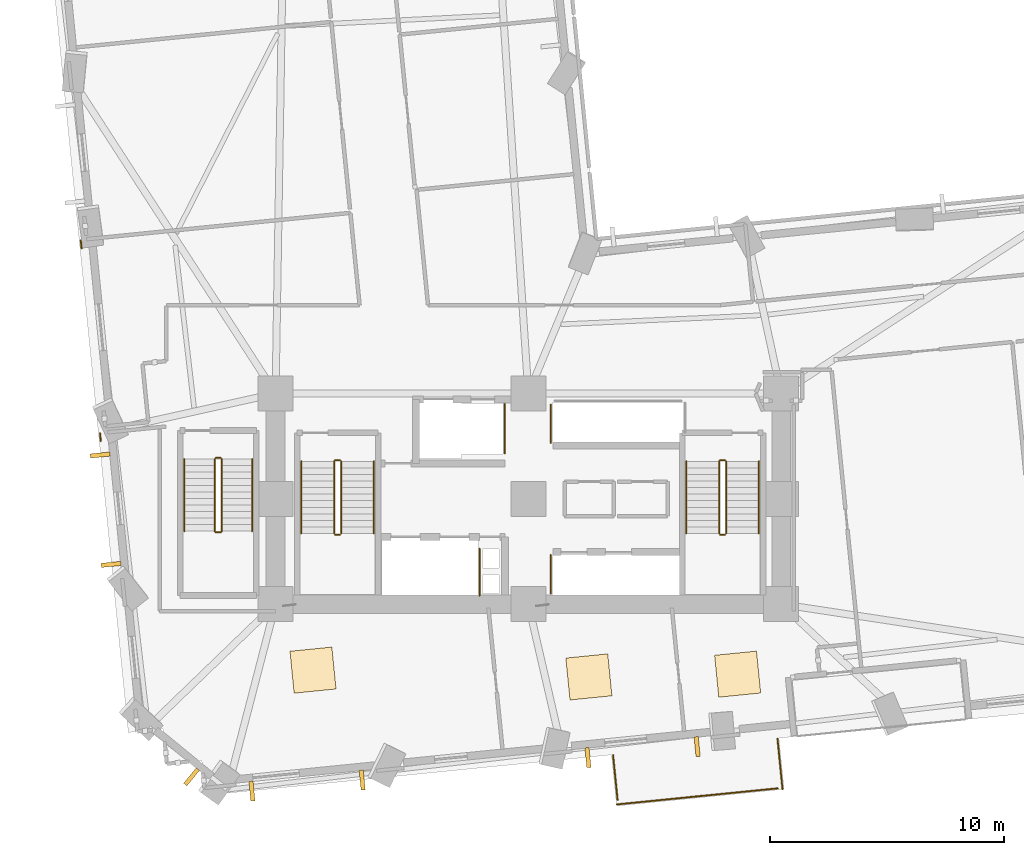
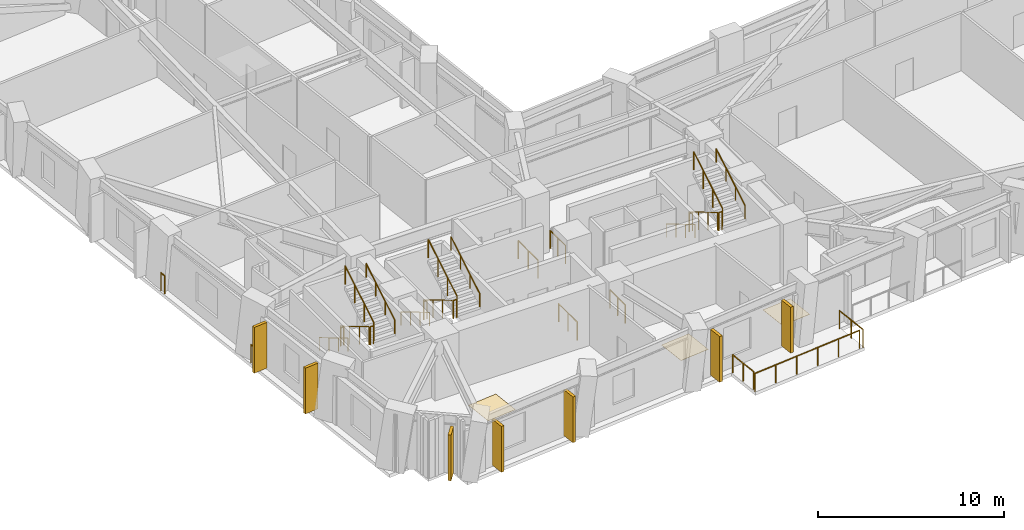
# One storey, part 13 of 16: 27 railings, 7 shading devices, 3 coverings.
"""IFC4 building model written with IfcOpenShell, lengths in metres."""

from ifc_helpers import new_model, si_unit, direction, frame, origin, origin_2d, place, context, subcontext, project, spatial, rectangle, circle, extrude, material, layer, layer_set, type_object, element, save


model = new_model("IFC4")

# Units and contexts
model_context = context("Model", 3, precision=1e-05, world=origin(), true_north=direction((0.0, 1.0)))
body_context = subcontext(model_context, "Body", "Model", "MODEL_VIEW")
ifc_project = project(units=[si_unit("LENGTHUNIT", "METRE"), si_unit("AREAUNIT", "SQUARE_METRE"), si_unit("VOLUMEUNIT", "CUBIC_METRE"), si_unit("PLANEANGLEUNIT", "RADIAN"), si_unit("MASSUNIT", "GRAM", prefix="KILO")], contexts=[model_context])

# Site, building, storey
site_placement = place(None, origin())
site = spatial("IfcSite", under=ifc_project, at=site_placement, CompositionType="ELEMENT")
building_placement = place(site_placement, origin())
building = spatial("IfcBuilding", under=site, at=building_placement, Name="Gaonmaruhae Medical Tower", CompositionType="ELEMENT")
storey_placement = place(building_placement, frame((0.0, 0.0, 47.0)))
storey = spatial("IfcBuildingStorey", under=building, at=storey_placement, Name="L10", CompositionType="ELEMENT", Elevation=47.0)

# Coverings
ifc_material_1 = material(Name="Seamless clinical vinyl flooring", Category="finish")
ifc_layer_1 = layer(ifc_material_1, 0.014892578125)
ifc_layer_set_1 = layer_set([ifc_layer_1], Name="Seamless clinical vinyl flooring")
covering_type = type_object("IfcCoveringType", Name="FLR-01 Seamless Clinical Antistatic Vinyl Flooring", PredefinedType="FLOORING", material=ifc_layer_set_1)
for number, where, z_axis, x_axis, name in (
    (1, (15.59912109375, 4.98291015625, 0.0), (0.0, 0.0, 1.0), (0.995055569961, 0.099319749744, 0.0), "L10 Clinical Room Vinyl Flooring 2"),
    (2, (27.386474609375, 4.691650390625, 0.0), (0.0, 0.0, 1.0), (0.995055569961, 0.099319749744, 0.0), "L10 Clinical Room Vinyl Flooring 3"),
    (3, (33.7421875, 4.810791015625, 0.0), (0.0, 0.0, 1.0), (0.995055569961, 0.099319749744, 0.0), "L10 Clinical Room Vinyl Flooring 4"),
):
    element("IfcCovering", number, at=place(storey_placement, frame(where, z_axis=z_axis, x_axis=x_axis)), inside=storey, type_object=covering_type, Name=name, PredefinedType="FLOORING", context=body_context, shape_type="SweptSolid", body=[
        extrude(rectangle(XDim=1.800048828125, YDim=1.800048828125, at=origin_2d()), origin(), (0.0, 0.0, 1.0), 0.014892578125),
    ])

# Railings
ifc_material_2 = material(Name="Stainless steel 316L and laminated safety glass", Category="steel")
ifc_layer_2 = layer(ifc_material_2, 0.080078125)
ifc_layer_set_2 = layer_set([ifc_layer_2], Name="Stainless steel 316L and laminated safety glass")
railing_type_1 = type_object("IfcRailingType", Name="GD-120 Outdoor Terrace Safety Glass & Steel Balustrade", PredefinedType="BALUSTRADE", material=ifc_layer_set_2)
for number, where, name in (
    (4, (6.5322265625, 14.770263671875, 0.0), "L10 Perimeter Slab Edge Safety Balustrade 01"),
    (5, (5.710693359375, 23.001708984375, 0.0), "L10 Perimeter Slab Edge Safety Balustrade 02"),
):
    element("IfcRailing", number, at=place(storey_placement, frame(where)), inside=storey, type_object=railing_type_1, Name=name, PredefinedType="BALUSTRADE", context=body_context, shape_type="SweptSolid", body=[
        extrude(circle(Radius=0.02392578125, at=origin_2d()), frame((0.0, 0.0, 1.17578125), z_axis=(-0.099148037397, 0.995072694169, 0.0), x_axis=(-0.995072694169, -0.099148037397, 0.0)), (0.0, 0.0, 1.0), 0.33984375),
        extrude(circle(Radius=0.02099609375, at=origin_2d()), origin(), (0.0, 0.0, 1.0), 1.15185546875),
        extrude(circle(Radius=0.02099609375, at=origin_2d()), frame((-0.03369140625, 0.338134765625, 0.0)), (0.0, 0.0, 1.0), 1.15185546875),
    ])
railing_1_placement = place(storey_placement, frame((35.445556640625, 2.05078125, 0.0)))
element("IfcRailing", 6, at=railing_1_placement, inside=storey, type_object=railing_type_1, Name="L10 Perimeter Slab Edge Safety Balustrade 07", PredefinedType="BALUSTRADE", context=body_context, shape_type="SweptSolid", body=[
    extrude(circle(Radius=0.02392578125, at=origin_2d()), frame((0.0, 0.0, 1.17578125), z_axis=(0.099358226687, -0.9950517287, 0.0), x_axis=(0.9950517287, 0.099358226687, 0.0)), (0.0, 0.0, 1.0), 2.159912109375),
    extrude(circle(Radius=0.02099609375, at=origin_2d()), origin(), (0.0, 0.0, 1.0), 1.15185546875),
    extrude(circle(Radius=0.02099609375, at=origin_2d()), frame((0.107421875, -1.07470703125, 0.0)), (0.0, 0.0, 1.0), 1.15185546875),
    extrude(circle(Radius=0.02099609375, at=origin_2d()), frame((0.214599609375, -2.149169921875, 0.0)), (0.0, 0.0, 1.0), 1.15185546875),
])
railing_2_placement = place(storey_placement, frame((35.454833984375, -0.068603515625, 0.0)))
element("IfcRailing", 7, at=railing_2_placement, inside=storey, type_object=railing_type_1, Name="L10 Perimeter Slab Edge Safety Balustrade 08", PredefinedType="BALUSTRADE", context=body_context, shape_type="SweptSolid", body=[
    extrude(circle(Radius=0.02392578125, at=origin_2d()), frame((0.0, 0.0, 1.17578125), z_axis=(-0.99505431913, -0.099332280659, 0.0), x_axis=(0.099332280659, -0.99505431913, 0.0)), (0.0, 0.0, 1.0), 6.908935546875),
    extrude(circle(Radius=0.02099609375, at=origin_2d()), origin(), (0.0, 0.0, 1.0), 1.15185546875),
    extrude(circle(Radius=0.02099609375, at=origin_2d()), frame((-1.375, -0.13720703125, 0.0)), (0.0, 0.0, 1.0), 1.15185546875),
    extrude(circle(Radius=0.02099609375, at=origin_2d()), frame((-2.75, -0.2744140625, 0.0)), (0.0, 0.0, 1.0), 1.15185546875),
    extrude(circle(Radius=0.02099609375, at=origin_2d()), frame((-4.124755859375, -0.411865234375, 0.0)), (0.0, 0.0, 1.0), 1.15185546875),
    extrude(circle(Radius=0.02099609375, at=origin_2d()), frame((-5.499755859375, -0.549072265625, 0.0)), (0.0, 0.0, 1.0), 1.15185546875),
    extrude(circle(Radius=0.02099609375, at=origin_2d()), frame((-6.874755859375, -0.686279296875, 0.0)), (0.0, 0.0, 1.0), 1.15185546875),
])
railing_3_placement = place(storey_placement, frame((28.611328125, -0.5625, 0.0)))
element("IfcRailing", 8, at=railing_3_placement, inside=storey, type_object=railing_type_1, Name="L10 Perimeter Slab Edge Safety Balustrade 09", PredefinedType="BALUSTRADE", context=body_context, shape_type="SweptSolid", body=[
    extrude(circle(Radius=0.02392578125, at=origin_2d()), frame((0.0, 0.0, 1.17578125), z_axis=(-0.099352767886, 0.995052273759, 0.0), x_axis=(-0.995052273759, -0.099352767886, 0.0)), (0.0, 0.0, 1.0), 1.921630859375),
    extrude(circle(Radius=0.02099609375, at=origin_2d()), origin(), (0.0, 0.0, 1.0), 1.15185546875),
    extrude(circle(Radius=0.02099609375, at=origin_2d()), frame((-0.095458984375, 0.9560546875, 0.0)), (0.0, 0.0, 1.0), 1.15185546875),
    extrude(circle(Radius=0.02099609375, at=origin_2d()), frame((-0.19091796875, 1.912109375, 0.0)), (0.0, 0.0, 1.0), 1.15185546875),
])
ifc_material_3 = material(Name="Stainless steel 304 handrail", Category="steel")
railing_type_2 = type_object("IfcRailingType", Name="HR-092 Continuous Stainless Steel Stair Handrail", PredefinedType="HANDRAIL", material=ifc_material_3)
railing_4_placement = place(storey_placement, frame((15.10009765625, 13.89990234375, 0.166748046875)))
element("IfcRailing", 9, at=railing_4_placement, inside=storey, type_object=railing_type_2, Name="L10 ST-01 stair handrail 1", PredefinedType="HANDRAIL", context=body_context, shape_type="SweptSolid", body=[
    extrude(circle(Radius=0.02392578125, at=origin_2d()), frame((0.0, 0.0, 0.8759765625), z_axis=(0.0, -0.859290745958, 0.51148745235), x_axis=(1.0, 0.0, 0.0)), (0.0, 0.0, 1.0), 3.584228515625),
    extrude(circle(Radius=0.02099609375, at=origin_2d()), origin(), (0.0, 0.0, 1.0), 0.851806640625),
    extrude(circle(Radius=0.02099609375, at=origin_2d()), frame((0.0, -1.026611328125, 0.611083984375)), (0.0, 0.0, 1.0), 0.851806640625),
    extrude(circle(Radius=0.02099609375, at=origin_2d()), frame((0.0, -2.05322265625, 1.22216796875)), (0.0, 0.0, 1.0), 0.851806640625),
    extrude(circle(Radius=0.02099609375, at=origin_2d()), frame((0.0, -3.079833984375, 1.833251953125)), (0.0, 0.0, 1.0), 0.851806640625),
])
railing_5_placement = place(storey_placement, frame((18.199951171875, 10.820068359375, 2.166748046875)))
element("IfcRailing", 10, at=railing_5_placement, inside=storey, type_object=railing_type_2, Name="L10 ST-01 stair handrail 2", PredefinedType="HANDRAIL", context=body_context, shape_type="SweptSolid", body=[
    extrude(circle(Radius=0.02392578125, at=origin_2d()), frame((0.0, 0.0, 0.8759765625), z_axis=(0.0, 0.859290745958, 0.51148745235), x_axis=(-1.0, 0.0, 0.0)), (0.0, 0.0, 1.0), 3.584228515625),
    extrude(circle(Radius=0.02099609375, at=origin_2d()), origin(), (0.0, 0.0, 1.0), 0.851806640625),
    extrude(circle(Radius=0.02099609375, at=origin_2d()), frame((0.0, 1.026611328125, 0.611083984375)), (0.0, 0.0, 1.0), 0.851806640625),
    extrude(circle(Radius=0.02099609375, at=origin_2d()), frame((0.0, 2.05322265625, 1.22216796875)), (0.0, 0.0, 1.0), 0.851806640625),
    extrude(circle(Radius=0.02099609375, at=origin_2d()), frame((0.0, 3.079833984375, 1.833251953125)), (0.0, 0.0, 1.0), 0.851806640625),
])
railing_6_placement = place(storey_placement, frame((31.550048828125, 13.89990234375, 0.166748046875)))
element("IfcRailing", 11, at=railing_6_placement, inside=storey, type_object=railing_type_2, Name="L10 ST-02 stair handrail 1", PredefinedType="HANDRAIL", context=body_context, shape_type="SweptSolid", body=[
    extrude(circle(Radius=0.02392578125, at=origin_2d()), frame((0.0, 0.0, 0.8759765625), z_axis=(0.0, -0.859290745958, 0.51148745235), x_axis=(1.0, 0.0, 0.0)), (0.0, 0.0, 1.0), 3.584228515625),
    extrude(circle(Radius=0.02099609375, at=origin_2d()), origin(), (0.0, 0.0, 1.0), 0.851806640625),
    extrude(circle(Radius=0.02099609375, at=origin_2d()), frame((0.0, -1.026611328125, 0.611083984375)), (0.0, 0.0, 1.0), 0.851806640625),
    extrude(circle(Radius=0.02099609375, at=origin_2d()), frame((0.0, -2.05322265625, 1.22216796875)), (0.0, 0.0, 1.0), 0.851806640625),
    extrude(circle(Radius=0.02099609375, at=origin_2d()), frame((0.0, -3.079833984375, 1.833251953125)), (0.0, 0.0, 1.0), 0.851806640625),
])
railing_7_placement = place(storey_placement, frame((34.64990234375, 10.820068359375, 2.166748046875)))
element("IfcRailing", 12, at=railing_7_placement, inside=storey, type_object=railing_type_2, Name="L10 ST-02 stair handrail 2", PredefinedType="HANDRAIL", context=body_context, shape_type="SweptSolid", body=[
    extrude(circle(Radius=0.02392578125, at=origin_2d()), frame((0.0, 0.0, 0.8759765625), z_axis=(0.0, 0.859290745958, 0.51148745235), x_axis=(-1.0, 0.0, 0.0)), (0.0, 0.0, 1.0), 3.584228515625),
    extrude(circle(Radius=0.02099609375, at=origin_2d()), origin(), (0.0, 0.0, 1.0), 0.851806640625),
    extrude(circle(Radius=0.02099609375, at=origin_2d()), frame((0.0, 1.026611328125, 0.611083984375)), (0.0, 0.0, 1.0), 0.851806640625),
    extrude(circle(Radius=0.02099609375, at=origin_2d()), frame((0.0, 2.05322265625, 1.22216796875)), (0.0, 0.0, 1.0), 0.851806640625),
    extrude(circle(Radius=0.02099609375, at=origin_2d()), frame((0.0, 3.079833984375, 1.833251953125)), (0.0, 0.0, 1.0), 0.851806640625),
])
railing_8_placement = place(storey_placement, frame((10.10009765625, 14.0, 0.166748046875)))
element("IfcRailing", 13, at=railing_8_placement, inside=storey, type_object=railing_type_2, Name="L10 ST-03 stair handrail 1", PredefinedType="HANDRAIL", context=body_context, shape_type="SweptSolid", body=[
    extrude(circle(Radius=0.02392578125, at=origin_2d()), frame((0.0, 0.0, 0.8759765625), z_axis=(0.0, -0.859308565015, 0.511457515432), x_axis=(1.0, 0.0, 0.0)), (0.0, 0.0, 1.0), 3.58447265625),
    extrude(circle(Radius=0.02099609375, at=origin_2d()), origin(), (0.0, 0.0, 1.0), 0.851806640625),
    extrude(circle(Radius=0.02099609375, at=origin_2d()), frame((0.0, -1.026611328125, 0.611083984375)), (0.0, 0.0, 1.0), 0.851806640625),
    extrude(circle(Radius=0.02099609375, at=origin_2d()), frame((0.0, -2.053466796875, 1.22216796875)), (0.0, 0.0, 1.0), 0.851806640625),
    extrude(circle(Radius=0.02099609375, at=origin_2d()), frame((0.0, -3.080078125, 1.833251953125)), (0.0, 0.0, 1.0), 0.851806640625),
])
railing_9_placement = place(storey_placement, frame((13.0, 10.919921875, 2.166748046875)))
element("IfcRailing", 14, at=railing_9_placement, inside=storey, type_object=railing_type_2, Name="L10 ST-03 stair handrail 2", PredefinedType="HANDRAIL", context=body_context, shape_type="SweptSolid", body=[
    extrude(circle(Radius=0.02392578125, at=origin_2d()), frame((0.0, 0.0, 0.8759765625), z_axis=(0.0, 0.859308565015, 0.511457515432), x_axis=(-1.0, 0.0, 0.0)), (0.0, 0.0, 1.0), 3.58447265625),
    extrude(circle(Radius=0.02099609375, at=origin_2d()), origin(), (0.0, 0.0, 1.0), 0.851806640625),
    extrude(circle(Radius=0.02099609375, at=origin_2d()), frame((0.0, 1.026611328125, 0.611083984375)), (0.0, 0.0, 1.0), 0.851806640625),
    extrude(circle(Radius=0.02099609375, at=origin_2d()), frame((0.0, 2.053466796875, 1.22216796875)), (0.0, 0.0, 1.0), 0.851806640625),
    extrude(circle(Radius=0.02099609375, at=origin_2d()), frame((0.0, 3.080078125, 1.833251953125)), (0.0, 0.0, 1.0), 0.851806640625),
])

# Shading devices
ifc_material_4 = material(Name="Pigmented coral precast concrete C45/55", Category="concrete")
shading_device_type = type_object("IfcShadingDeviceType", Name="SD-FIN1 Tower Vertical Coral Precast Shading Fin", PredefinedType="USERDEFINED", material=ifc_material_4)
for number, where, z_axis, x_axis, name in (
    (15, (17.70068359375, 0.28466796875, 0.08251953125), (0.0, 0.0, 1.0), (-0.995055569961, -0.099319749744, 0.0), "L10 Vertical Coral Precast Shading Fin S01"),
    (16, (12.989501953125, -0.185546875, 0.08251953125), (0.0, 0.0, 1.0), (-0.995055569961, -0.099319749744, 0.0), "L10 Vertical Coral Precast Shading Fin S01B"),
    (17, (32.01220703125, 1.713134765625, 0.08251953125), (0.0, 0.0, 1.0), (-0.995055569961, -0.099319749744, 0.0), "L10 Vertical Coral Precast Shading Fin S03"),
    (18, (27.345947265625, 1.247314453125, 0.08251953125), (0.0, 0.0, 1.0), (-0.995055569961, -0.099319749744, 0.0), "L10 Vertical Coral Precast Shading Fin S03B"),
    (19, (6.972900390625, 9.5, 0.08251953125), (0.0, 0.0, 1.0), (-0.099319749744, 0.995055569961, 0.0), "L10 Vertical Coral Precast Shading Fin W05"),
    (20, (6.50634765625, 14.174072265625, 0.08251953125), (0.0, 0.0, 1.0), (-0.099319749744, 0.995055569961, 0.0), "L10 Vertical Coral Precast Shading Fin W05B"),
    (21, (10.410888671875, 0.4228515625, 0.08251953125), (0.0, 0.0, 1.0), (-0.77385126419, 0.633367366472, 0.0), "L10 Vertical Coral Precast Shading Fin W07"),
):
    element("IfcShadingDevice", number, at=place(storey_placement, frame(where, z_axis=z_axis, x_axis=x_axis)), inside=storey, type_object=shading_device_type, Name=name, ObjectType="FIN", PredefinedType="USERDEFINED", context=body_context, shape_type="SweptSolid", body=[
        extrude(rectangle(XDim=0.179931640625, YDim=0.85009765625, at=origin_2d()), origin(), (0.0, 0.0, 1.0), 3.0),
    ])

# Railings
ifc_material_5 = material(Name="Stainless steel 304 balustrade", Category="steel")
railing_type_3 = type_object("IfcRailingType", Name="SG-112 Stair Well & Ramp Void Safety Balustrade", PredefinedType="BALUSTRADE", material=ifc_material_5)
railing_10_placement = place(storey_placement, frame((16.5, 13.89990234375, 0.166748046875)))
element("IfcRailing", 22, at=railing_10_placement, inside=storey, type_object=railing_type_3, Name="L10 ST-01 stair guard 1", PredefinedType="BALUSTRADE", context=body_context, shape_type="SweptSolid", body=[
    extrude(circle(Radius=0.02392578125, at=origin_2d()), frame((0.0, 0.0, 1.17578125), z_axis=(0.0, -0.859290745958, 0.51148745235), x_axis=(1.0, 0.0, 0.0)), (0.0, 0.0, 1.0), 3.584228515625),
    extrude(circle(Radius=0.02099609375, at=origin_2d()), origin(), (0.0, 0.0, 1.0), 1.15185546875),
    extrude(circle(Radius=0.02099609375, at=origin_2d()), frame((0.0, -1.026611328125, 0.611083984375)), (0.0, 0.0, 1.0), 1.15185546875),
    extrude(circle(Radius=0.02099609375, at=origin_2d()), frame((0.0, -2.05322265625, 1.22216796875)), (0.0, 0.0, 1.0), 1.15185546875),
    extrude(circle(Radius=0.02099609375, at=origin_2d()), frame((0.0, -3.079833984375, 1.833251953125)), (0.0, 0.0, 1.0), 1.15185546875),
])
railing_11_placement = place(storey_placement, frame((16.550048828125, 10.77001953125, 2.0)))
element("IfcRailing", 23, at=railing_11_placement, inside=storey, type_object=railing_type_3, Name="L10 ST-01 stair guard 2", PredefinedType="BALUSTRADE", context=body_context, shape_type="SweptSolid", body=[
    extrude(circle(Radius=0.02392578125, at=origin_2d()), frame((0.0, 0.0, 1.17578125), z_axis=(1.0, 0.0, 0.0), x_axis=(0.0, 1.0, 0.0)), (0.0, 0.0, 1.0), 0.199951171875),
    extrude(circle(Radius=0.02099609375, at=origin_2d()), origin(), (0.0, 0.0, 1.0), 1.15185546875),
    extrude(circle(Radius=0.02099609375, at=origin_2d()), frame((0.199951171875, 0.0, 0.0)), (0.0, 0.0, 1.0), 1.15185546875),
])
railing_12_placement = place(storey_placement, frame((16.800048828125, 10.820068359375, 2.166748046875)))
element("IfcRailing", 24, at=railing_12_placement, inside=storey, type_object=railing_type_3, Name="L10 ST-01 stair guard 3", PredefinedType="BALUSTRADE", context=body_context, shape_type="SweptSolid", body=[
    extrude(circle(Radius=0.02392578125, at=origin_2d()), frame((0.0, 0.0, 1.17578125), z_axis=(0.0, 0.859290745958, 0.51148745235), x_axis=(-1.0, 0.0, 0.0)), (0.0, 0.0, 1.0), 3.584228515625),
    extrude(circle(Radius=0.02099609375, at=origin_2d()), origin(), (0.0, 0.0, 1.0), 1.15185546875),
    extrude(circle(Radius=0.02099609375, at=origin_2d()), frame((0.0, 1.026611328125, 0.611083984375)), (0.0, 0.0, 1.0), 1.15185546875),
    extrude(circle(Radius=0.02099609375, at=origin_2d()), frame((0.0, 2.05322265625, 1.22216796875)), (0.0, 0.0, 1.0), 1.15185546875),
    extrude(circle(Radius=0.02099609375, at=origin_2d()), frame((0.0, 3.079833984375, 1.833251953125)), (0.0, 0.0, 1.0), 1.15185546875),
])
railing_13_placement = place(storey_placement, frame((16.550048828125, 13.949951171875, 0.0)))
element("IfcRailing", 25, at=railing_13_placement, inside=storey, type_object=railing_type_3, Name="L10 ST-01 stair guard 4", PredefinedType="BALUSTRADE", context=body_context, shape_type="SweptSolid", body=[
    extrude(circle(Radius=0.02392578125, at=origin_2d()), frame((0.0, 0.0, 1.17578125), z_axis=(1.0, 0.0, 0.0), x_axis=(0.0, 1.0, 0.0)), (0.0, 0.0, 1.0), 0.199951171875),
    extrude(circle(Radius=0.02099609375, at=origin_2d()), origin(), (0.0, 0.0, 1.0), 1.15185546875),
    extrude(circle(Radius=0.02099609375, at=origin_2d()), frame((0.199951171875, 0.0, 0.0)), (0.0, 0.0, 1.0), 1.15185546875),
])
railing_14_placement = place(storey_placement, frame((32.949951171875, 13.89990234375, 0.166748046875)))
element("IfcRailing", 26, at=railing_14_placement, inside=storey, type_object=railing_type_3, Name="L10 ST-02 stair guard 1", PredefinedType="BALUSTRADE", context=body_context, shape_type="SweptSolid", body=[
    extrude(circle(Radius=0.02392578125, at=origin_2d()), frame((0.0, 0.0, 1.17578125), z_axis=(0.0, -0.859290745958, 0.51148745235), x_axis=(1.0, 0.0, 0.0)), (0.0, 0.0, 1.0), 3.584228515625),
    extrude(circle(Radius=0.02099609375, at=origin_2d()), origin(), (0.0, 0.0, 1.0), 1.15185546875),
    extrude(circle(Radius=0.02099609375, at=origin_2d()), frame((0.0, -1.026611328125, 0.611083984375)), (0.0, 0.0, 1.0), 1.15185546875),
    extrude(circle(Radius=0.02099609375, at=origin_2d()), frame((0.0, -2.05322265625, 1.22216796875)), (0.0, 0.0, 1.0), 1.15185546875),
    extrude(circle(Radius=0.02099609375, at=origin_2d()), frame((0.0, -3.079833984375, 1.833251953125)), (0.0, 0.0, 1.0), 1.15185546875),
])
railing_15_placement = place(storey_placement, frame((33.0, 10.77001953125, 2.0)))
element("IfcRailing", 27, at=railing_15_placement, inside=storey, type_object=railing_type_3, Name="L10 ST-02 stair guard 2", PredefinedType="BALUSTRADE", context=body_context, shape_type="SweptSolid", body=[
    extrude(circle(Radius=0.02392578125, at=origin_2d()), frame((0.0, 0.0, 1.17578125), z_axis=(1.0, 0.0, 0.0), x_axis=(0.0, 1.0, 0.0)), (0.0, 0.0, 1.0), 0.199951171875),
    extrude(circle(Radius=0.02099609375, at=origin_2d()), origin(), (0.0, 0.0, 1.0), 1.15185546875),
    extrude(circle(Radius=0.02099609375, at=origin_2d()), frame((0.199951171875, 0.0, 0.0)), (0.0, 0.0, 1.0), 1.15185546875),
])
railing_16_placement = place(storey_placement, frame((33.25, 10.820068359375, 2.166748046875)))
element("IfcRailing", 28, at=railing_16_placement, inside=storey, type_object=railing_type_3, Name="L10 ST-02 stair guard 3", PredefinedType="BALUSTRADE", context=body_context, shape_type="SweptSolid", body=[
    extrude(circle(Radius=0.02392578125, at=origin_2d()), frame((0.0, 0.0, 1.17578125), z_axis=(0.0, 0.859290745958, 0.51148745235), x_axis=(-1.0, 0.0, 0.0)), (0.0, 0.0, 1.0), 3.584228515625),
    extrude(circle(Radius=0.02099609375, at=origin_2d()), origin(), (0.0, 0.0, 1.0), 1.15185546875),
    extrude(circle(Radius=0.02099609375, at=origin_2d()), frame((0.0, 1.026611328125, 0.611083984375)), (0.0, 0.0, 1.0), 1.15185546875),
    extrude(circle(Radius=0.02099609375, at=origin_2d()), frame((0.0, 2.05322265625, 1.22216796875)), (0.0, 0.0, 1.0), 1.15185546875),
    extrude(circle(Radius=0.02099609375, at=origin_2d()), frame((0.0, 3.079833984375, 1.833251953125)), (0.0, 0.0, 1.0), 1.15185546875),
])
railing_17_placement = place(storey_placement, frame((33.0, 13.949951171875, 0.0)))
element("IfcRailing", 29, at=railing_17_placement, inside=storey, type_object=railing_type_3, Name="L10 ST-02 stair guard 4", PredefinedType="BALUSTRADE", context=body_context, shape_type="SweptSolid", body=[
    extrude(circle(Radius=0.02392578125, at=origin_2d()), frame((0.0, 0.0, 1.17578125), z_axis=(1.0, 0.0, 0.0), x_axis=(0.0, 1.0, 0.0)), (0.0, 0.0, 1.0), 0.199951171875),
    extrude(circle(Radius=0.02099609375, at=origin_2d()), origin(), (0.0, 0.0, 1.0), 1.15185546875),
    extrude(circle(Radius=0.02099609375, at=origin_2d()), frame((0.199951171875, 0.0, 0.0)), (0.0, 0.0, 1.0), 1.15185546875),
])
railing_18_placement = place(storey_placement, frame((11.39990234375, 14.0, 0.166748046875)))
element("IfcRailing", 30, at=railing_18_placement, inside=storey, type_object=railing_type_3, Name="L10 ST-03 stair guard 1", PredefinedType="BALUSTRADE", context=body_context, shape_type="SweptSolid", body=[
    extrude(circle(Radius=0.02392578125, at=origin_2d()), frame((0.0, 0.0, 1.17578125), z_axis=(0.0, -0.859308565015, 0.511457515432), x_axis=(1.0, 0.0, 0.0)), (0.0, 0.0, 1.0), 3.58447265625),
    extrude(circle(Radius=0.02099609375, at=origin_2d()), origin(), (0.0, 0.0, 1.0), 1.15185546875),
    extrude(circle(Radius=0.02099609375, at=origin_2d()), frame((0.0, -1.026611328125, 0.611083984375)), (0.0, 0.0, 1.0), 1.15185546875),
    extrude(circle(Radius=0.02099609375, at=origin_2d()), frame((0.0, -2.053466796875, 1.22216796875)), (0.0, 0.0, 1.0), 1.15185546875),
    extrude(circle(Radius=0.02099609375, at=origin_2d()), frame((0.0, -3.080078125, 1.833251953125)), (0.0, 0.0, 1.0), 1.15185546875),
])
railing_19_placement = place(storey_placement, frame((11.449951171875, 10.8701171875, 2.0)))
element("IfcRailing", 31, at=railing_19_placement, inside=storey, type_object=railing_type_3, Name="L10 ST-03 stair guard 2", PredefinedType="BALUSTRADE", context=body_context, shape_type="SweptSolid", body=[
    extrude(circle(Radius=0.02392578125, at=origin_2d()), frame((0.0, 0.0, 1.17578125), z_axis=(1.0, 0.0, 0.0), x_axis=(0.0, 1.0, 0.0)), (0.0, 0.0, 1.0), 0.199951171875),
    extrude(circle(Radius=0.02099609375, at=origin_2d()), origin(), (0.0, 0.0, 1.0), 1.15185546875),
    extrude(circle(Radius=0.02099609375, at=origin_2d()), frame((0.199951171875, 0.0, 0.0)), (0.0, 0.0, 1.0), 1.15185546875),
])
railing_20_placement = place(storey_placement, frame((11.699951171875, 10.919921875, 2.166748046875)))
element("IfcRailing", 32, at=railing_20_placement, inside=storey, type_object=railing_type_3, Name="L10 ST-03 stair guard 3", PredefinedType="BALUSTRADE", context=body_context, shape_type="SweptSolid", body=[
    extrude(circle(Radius=0.02392578125, at=origin_2d()), frame((0.0, 0.0, 1.17578125), z_axis=(0.0, 0.859308565015, 0.511457515432), x_axis=(-1.0, 0.0, 0.0)), (0.0, 0.0, 1.0), 3.58447265625),
    extrude(circle(Radius=0.02099609375, at=origin_2d()), origin(), (0.0, 0.0, 1.0), 1.15185546875),
    extrude(circle(Radius=0.02099609375, at=origin_2d()), frame((0.0, 1.026611328125, 0.611083984375)), (0.0, 0.0, 1.0), 1.15185546875),
    extrude(circle(Radius=0.02099609375, at=origin_2d()), frame((0.0, 2.053466796875, 1.22216796875)), (0.0, 0.0, 1.0), 1.15185546875),
    extrude(circle(Radius=0.02099609375, at=origin_2d()), frame((0.0, 3.080078125, 1.833251953125)), (0.0, 0.0, 1.0), 1.15185546875),
])
railing_21_placement = place(storey_placement, frame((11.449951171875, 14.050048828125, 0.0)))
element("IfcRailing", 33, at=railing_21_placement, inside=storey, type_object=railing_type_3, Name="L10 ST-03 stair guard 4", PredefinedType="BALUSTRADE", context=body_context, shape_type="SweptSolid", body=[
    extrude(circle(Radius=0.02392578125, at=origin_2d()), frame((0.0, 0.0, 1.17578125), z_axis=(1.0, 0.0, 0.0), x_axis=(0.0, 1.0, 0.0)), (0.0, 0.0, 1.0), 0.199951171875),
    extrude(circle(Radius=0.02099609375, at=origin_2d()), origin(), (0.0, 0.0, 1.0), 1.15185546875),
    extrude(circle(Radius=0.02099609375, at=origin_2d()), frame((0.199951171875, 0.0, 0.0)), (0.0, 0.0, 1.0), 1.15185546875),
])
railing_22_placement = place(storey_placement, frame((25.7548828125, 8.27001953125, 0.0)))
element("IfcRailing", 34, at=railing_22_placement, inside=storey, type_object=railing_type_3, Name="L10 Shaft Edge Safety Guard 10", PredefinedType="BALUSTRADE", context=body_context, shape_type="SweptSolid", body=[
    extrude(circle(Radius=0.02392578125, at=origin_2d()), frame((0.0, 0.0, 1.17578125), z_axis=(0.0, 1.0, 0.0), x_axis=(-1.0, 0.0, 0.0)), (0.0, 0.0, 1.0), 1.635009765625),
    extrude(circle(Radius=0.02099609375, at=origin_2d()), origin(), (0.0, 0.0, 1.0), 1.15185546875),
    extrude(circle(Radius=0.02099609375, at=origin_2d()), frame((0.0, 0.8173828125, 0.0)), (0.0, 0.0, 1.0), 1.15185546875),
    extrude(circle(Radius=0.02099609375, at=origin_2d()), frame((0.0, 1.635009765625, 0.0)), (0.0, 0.0, 1.0), 1.15185546875),
])
railing_23_placement = place(storey_placement, frame((22.719970703125, 10.159912109375, 0.0)))
element("IfcRailing", 35, at=railing_23_placement, inside=storey, type_object=railing_type_3, Name="L10 Shaft Edge Safety Guard 11", PredefinedType="BALUSTRADE", context=body_context, shape_type="SweptSolid", body=[
    extrude(circle(Radius=0.02392578125, at=origin_2d()), frame((0.0, 0.0, 1.17578125), z_axis=(0.0, -1.0, 0.0), x_axis=(1.0, 0.0, 0.0)), (0.0, 0.0, 1.0), 1.994873046875),
    extrude(circle(Radius=0.02099609375, at=origin_2d()), origin(), (0.0, 0.0, 1.0), 1.15185546875),
    extrude(circle(Radius=0.02099609375, at=origin_2d()), frame((0.0, -0.99755859375, 0.0)), (0.0, 0.0, 1.0), 1.15185546875),
    extrude(circle(Radius=0.02099609375, at=origin_2d()), frame((0.0, -1.994873046875, 0.0)), (0.0, 0.0, 1.0), 1.15185546875),
])
railing_24_placement = place(storey_placement, frame((23.794921875, 16.35498046875, 0.0)))
element("IfcRailing", 36, at=railing_24_placement, inside=storey, type_object=railing_type_3, Name="L10 Shaft Edge Safety Guard 12", PredefinedType="BALUSTRADE", context=body_context, shape_type="SweptSolid", body=[
    extrude(circle(Radius=0.02392578125, at=origin_2d()), frame((0.0, 0.0, 1.17578125), z_axis=(0.0, -1.0, 0.0), x_axis=(1.0, 0.0, 0.0)), (0.0, 0.0, 1.0), 2.10986328125),
    extrude(circle(Radius=0.02099609375, at=origin_2d()), origin(), (0.0, 0.0, 1.0), 1.15185546875),
    extrude(circle(Radius=0.02099609375, at=origin_2d()), frame((0.0, -1.054931640625, 0.0)), (0.0, 0.0, 1.0), 1.15185546875),
    extrude(circle(Radius=0.02099609375, at=origin_2d()), frame((0.0, -2.10986328125, 0.0)), (0.0, 0.0, 1.0), 1.15185546875),
])
railing_25_placement = place(storey_placement, frame((25.7548828125, 14.695068359375, 0.0)))
element("IfcRailing", 37, at=railing_25_placement, inside=storey, type_object=railing_type_3, Name="L10 Shaft Edge Safety Guard 14", PredefinedType="BALUSTRADE", context=body_context, shape_type="SweptSolid", body=[
    extrude(circle(Radius=0.02392578125, at=origin_2d()), frame((0.0, 0.0, 1.17578125), z_axis=(0.0, 1.0, 0.0), x_axis=(-1.0, 0.0, 0.0)), (0.0, 0.0, 1.0), 1.635009765625),
    extrude(circle(Radius=0.02099609375, at=origin_2d()), origin(), (0.0, 0.0, 1.0), 1.15185546875),
    extrude(circle(Radius=0.02099609375, at=origin_2d()), frame((0.0, 0.8173828125, 0.0)), (0.0, 0.0, 1.0), 1.15185546875),
    extrude(circle(Radius=0.02099609375, at=origin_2d()), frame((0.0, 1.635009765625, 0.0)), (0.0, 0.0, 1.0), 1.15185546875),
])

save(model, "model.ifc")
